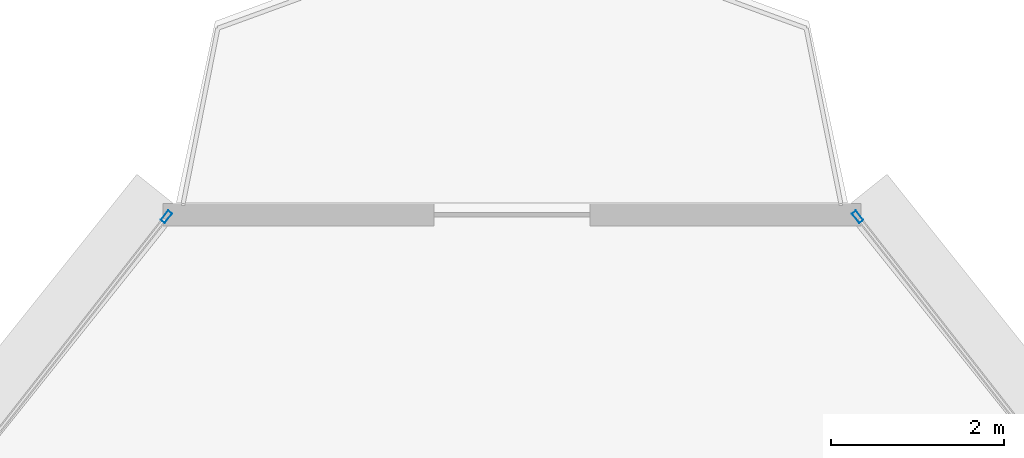
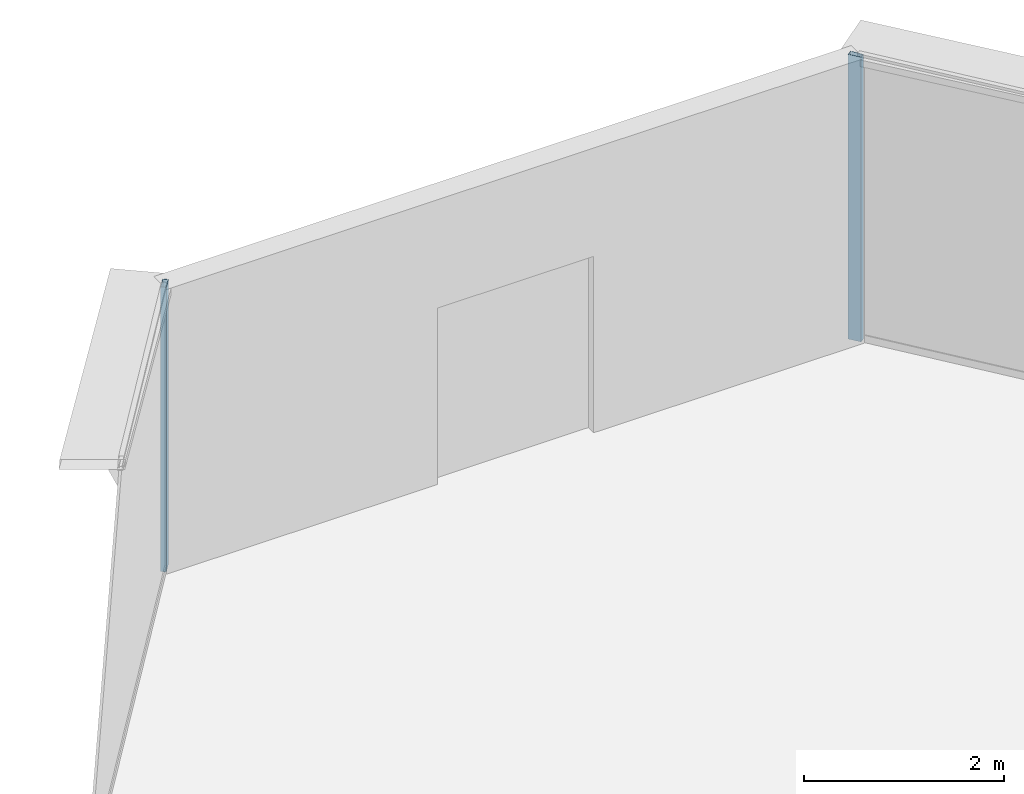
# One storey, part 25 of 35: 2 members, 2 elements without a shape of their own.
"""IFC4 building model written with IfcOpenShell, lengths in metres."""

import ifcopenshell
import ifcopenshell.guid

model = None  # the IFC model being written
_history = None  # IfcOwnerHistory: only IFC2X3 demands one
_inside = {}  # id of a spatial element -> (the spatial element, [elements in it])
_under = {}  # id of a project, library or spatial element -> (it, [spatial elements below it])
_declared = {}  # id of a project -> (the project, [libraries it declares])
_typed = {}  # id of a type object -> (the type object, [elements of that type])
_made_of = {}  # id of a material, layer set ... -> (it, [elements and type objects made of it])


def new_model(schema):
    """Start an empty IFC model of exactly this schema.

    Asked for "IFC4X3", IfcOpenShell would pick the latest addendum, in which some entities
    have other attributes; the version numbers below select the first issue.
    IFC2X3 requires an IfcOwnerHistory on every rooted entity: one is made here for all.
    """
    global model, _history
    if schema == "IFC4X3":
        model = ifcopenshell.file(schema_version=(4, 3, 0, 0))
    else:
        model = ifcopenshell.file(schema=schema)
    _inside.clear()
    _under.clear()
    _declared.clear()
    _typed.clear()
    _made_of.clear()
    _history = None
    if model.schema == "IFC2X3":
        org = make("IfcOrganization", Name="unknown")
        user = make(
            "IfcPersonAndOrganization",
            ThePerson=make("IfcPerson", FamilyName="unknown"),
            TheOrganization=org,
        )
        app = make(
            "IfcApplication",
            ApplicationDeveloper=org,
            Version="unknown",
            ApplicationFullName="unknown",
            ApplicationIdentifier="unknown",
        )
        _history = make(
            "IfcOwnerHistory",
            OwningUser=user,
            OwningApplication=app,
            ChangeAction="ADDED",
            CreationDate=0,
        )
    return model


def make(cls, **values):
    """One entity of the class cls with the attributes given. An attribute that is None is left unset."""
    return model.create_entity(
        cls, **{name: value for name, value in values.items() if value is not None}
    )


def rooted(cls, **values):
    """An entity with a GlobalId (a new one), such as an element, a storey or a relation."""
    return make(cls, GlobalId=ifcopenshell.guid.new(), OwnerHistory=_history, **values)


def si_unit(unit_type, name, prefix=None):
    """IfcSIUnit, for example si_unit("LENGTHUNIT", "METRE", prefix="MILLI")."""
    return make("IfcSIUnit", UnitType=unit_type, Prefix=prefix, Name=name)


def assignment(units):
    """IfcUnitAssignment: the units of a project."""
    return None if units is None else make("IfcUnitAssignment", Units=units)


def point(xyz):
    """IfcCartesianPoint."""
    return None if xyz is None else make("IfcCartesianPoint", Coordinates=xyz)


def direction(xyz):
    """IfcDirection."""
    return None if xyz is None else make("IfcDirection", DirectionRatios=xyz)


def frame(location, z_axis=None, x_axis=None):
    """IfcAxis2Placement3D, a coordinate frame: its origin and axes. An axis left out is left unset."""
    return make(
        "IfcAxis2Placement3D",
        Location=point(location),
        Axis=direction(z_axis),
        RefDirection=direction(x_axis),
    )


def frame_2d(location, x_axis=None):
    """IfcAxis2Placement2D, a coordinate frame in the plane: its origin and x axis."""
    return make(
        "IfcAxis2Placement2D", Location=point(location), RefDirection=direction(x_axis)
    )


def origin():
    """The frame at (0, 0, 0) with its axes left unset."""
    return frame((0.0, 0.0, 0.0))


def origin_2d():
    """The frame at (0, 0) in the plane with its x axis left unset."""
    return frame_2d((0.0, 0.0))


def place(relative_to, where):
    """IfcLocalPlacement: puts the frame where relative to a parent placement (None: the world)."""
    return make(
        "IfcLocalPlacement", PlacementRelTo=relative_to, RelativePlacement=where
    )


def context(
    kind, dimensions, precision=None, world=None, true_north=None, identifier=None
):
    """IfcGeometricRepresentationContext, for example the 3D "Model" context."""
    return make(
        "IfcGeometricRepresentationContext",
        ContextIdentifier=identifier,
        ContextType=kind,
        CoordinateSpaceDimension=dimensions,
        Precision=precision,
        WorldCoordinateSystem=world,
        TrueNorth=true_north,
    )


def subcontext(parent, identifier, kind, view, scale=None):
    """IfcGeometricRepresentationSubContext, for example "Body" below "Model"."""
    return make(
        "IfcGeometricRepresentationSubContext",
        ContextIdentifier=identifier,
        ContextType=kind,
        ParentContext=parent,
        TargetScale=scale,
        TargetView=view,
    )


def project(units=None, contexts=None):
    """IfcProject with its units and contexts."""
    return rooted(
        "IfcProject",
        Name="project",
        RepresentationContexts=contexts,
        UnitsInContext=assignment(units),
    )


def spatial(cls, under=None, at=None, **own):
    """A site, building, storey or space (cls), placed at a placement, below another one or the project."""
    s = rooted(cls, ObjectPlacement=at, **own)
    if under is not None:
        _under.setdefault(under.id(), (under, []))[1].append(s)
    return s


def profile(cls, at=None, kind="AREA", **sizes):
    """A parametric profile (cls). Its sizes go by their IFC names, for example OverallWidth=200.0."""
    return make(cls, ProfileType=kind, Position=at, **sizes)


def hollow_rectangle(**sizes):
    """IfcRectangleHollowProfileDef."""
    return profile("IfcRectangleHollowProfileDef", **sizes)


def extrude(swept, where, along, depth):
    """IfcExtrudedAreaSolid: the profile swept, set in the frame where, extruded along a direction by depth."""
    return make(
        "IfcExtrudedAreaSolid",
        SweptArea=swept,
        Position=where,
        ExtrudedDirection=direction(along),
        Depth=depth,
    )


def shape(context_of_items, identifier, shape_type, items):
    """IfcShapeRepresentation: the items that make up one representation, for example the "Body"."""
    return make(
        "IfcShapeRepresentation",
        ContextOfItems=context_of_items,
        RepresentationIdentifier=identifier,
        RepresentationType=shape_type,
        Items=items,
    )


def source(mapping_origin, context_of_items, identifier, shape_type, items):
    """IfcRepresentationMap: a shape defined once, which mapped items show again and again."""
    return make(
        "IfcRepresentationMap",
        MappingOrigin=mapping_origin,
        MappedRepresentation=shape(context_of_items, identifier, shape_type, items),
    )


def transform(
    local_origin,
    x_axis=None,
    y_axis=None,
    z_axis=None,
    scale=None,
    scale2=None,
    scale3=None,
    uniform=True,
):
    """IfcCartesianTransformationOperator3D, or its non-uniform kind. x_axis, y_axis, z_axis: its Axis1, 2, 3."""
    if uniform:
        return make(
            "IfcCartesianTransformationOperator3D",
            Axis1=direction(x_axis),
            Axis2=direction(y_axis),
            LocalOrigin=point(local_origin),
            Scale=scale,
            Axis3=direction(z_axis),
        )
    return make(
        "IfcCartesianTransformationOperator3DnonUniform",
        Axis1=direction(x_axis),
        Axis2=direction(y_axis),
        LocalOrigin=point(local_origin),
        Scale=scale,
        Axis3=direction(z_axis),
        Scale2=scale2,
        Scale3=scale3,
    )


def mapped(mapping_source, mapping_target):
    """IfcMappedItem: shows the shape of a source again, moved by a transform."""
    return make(
        "IfcMappedItem", MappingSource=mapping_source, MappingTarget=mapping_target
    )


def material(Name=None, Category=None):
    """IfcMaterial."""
    return make("IfcMaterial", Name=Name, Category=Category)


def layer(
    of_material, thickness, ventilated=None, Name=None, Category=None, Priority=None
):
    """IfcMaterialLayer: one layer of a wall or slab, of a material (None: an air gap)."""
    return make(
        "IfcMaterialLayer",
        Material=of_material,
        LayerThickness=thickness,
        IsVentilated=ventilated,
        Name=Name,
        Category=Category,
        Priority=Priority,
    )


def layer_set(layers, Name=None):
    """IfcMaterialLayerSet."""
    return make("IfcMaterialLayerSet", MaterialLayers=layers, LayerSetName=Name)


def material_profile(
    of_material, cross_section, Name=None, Category=None, Priority=None
):
    """IfcMaterialProfile: a cross section and its material."""
    return make(
        "IfcMaterialProfile",
        Name=Name,
        Material=of_material,
        Profile=cross_section,
        Priority=Priority,
        Category=Category,
    )


def profile_set(profiles, Name=None, composite=None):
    """IfcMaterialProfileSet."""
    return make(
        "IfcMaterialProfileSet",
        Name=Name,
        MaterialProfiles=profiles,
        CompositeProfile=composite,
    )


def made_of(thing, what):
    """Note that an element or type object is made of a material, layer set ...; save() writes the relation."""
    if what is not None:
        _made_of.setdefault(what.id(), (what, []))[1].append(thing)
    return thing


def type_object(cls, material=None, **own):
    """A type object (cls), such as IfcWallType, which elements share."""
    return made_of(rooted(cls, **own), material)


def element(
    cls,
    number,
    at=None,
    inside=None,
    cuts=None,
    type_object=None,
    material=None,
    context=None,
    identifier="Body",
    shape_type=None,
    held_by="IfcProductDefinitionShape",
    body=None,
    shapes=None,
    **own,
):
    """One element of the class cls, such as IfcWall. Its Tag is "e" and its number.

    at: its placement. inside: the storey or other place that contains it. cuts: it is an
    opening in that element (IfcRelVoidsElement). A single representation is given by context,
    identifier, shape_type and body (its items); several are given by shapes. held_by: the class
    of the entity that holds the representations. save() writes the other relations.
    """
    e = rooted(cls, Tag="e%d" % number, ObjectPlacement=at, **own)
    if body is not None:
        shapes = [shape(context, identifier, shape_type, body)]
    if shapes is not None:
        e.Representation = make(held_by, Representations=shapes)
    if inside is not None:
        _inside.setdefault(inside.id(), (inside, []))[1].append(e)
    if cuts is not None:
        rooted(
            "IfcRelVoidsElement", RelatingBuildingElement=cuts, RelatedOpeningElement=e
        )
    if type_object is not None:
        _typed.setdefault(type_object.id(), (type_object, []))[1].append(e)
    return made_of(e, material)


def aggregate(whole, parts):
    """IfcRelAggregates: a whole, such as a stair, and the parts it consists of."""
    return rooted("IfcRelAggregates", RelatingObject=whole, RelatedObjects=parts)


def save(model, path):
    """Write the relations noted so far, then the file.

    IfcRelAggregates (storeys below a building ...), IfcRelContainedInSpatialStructure (elements
    in a storey), IfcRelDefinesByType, IfcRelAssociatesMaterial and IfcRelDeclares: one each for
    every whole, place, type object, material and project.
    """
    for whole, parts in _under.values():
        aggregate(whole, parts)
    for where, things in _inside.values():
        rooted(
            "IfcRelContainedInSpatialStructure",
            RelatedElements=things,
            RelatingStructure=where,
        )
    for kind, things in _typed.values():
        rooted("IfcRelDefinesByType", RelatedObjects=things, RelatingType=kind)
    for what, things in _made_of.values():
        rooted("IfcRelAssociatesMaterial", RelatedObjects=things, RelatingMaterial=what)
    for by, libraries in _declared.values():
        rooted("IfcRelDeclares", RelatingContext=by, RelatedDefinitions=libraries)
    model.write(path)


model = new_model("IFC4")

# Units and contexts
model_context = context("Model", 3, precision=1e-05, world=origin(), true_north=direction((0.0, 1.0)))
body_context = subcontext(model_context, "Body", "Model", "MODEL_VIEW")
ifc_project = project(units=[si_unit("LENGTHUNIT", "METRE"), si_unit("AREAUNIT", "SQUARE_METRE"), si_unit("VOLUMEUNIT", "CUBIC_METRE"), si_unit("PLANEANGLEUNIT", "RADIAN"), si_unit("MASSUNIT", "GRAM", prefix="KILO"), si_unit("THERMODYNAMICTEMPERATUREUNIT", "KELVIN"), si_unit("POWERUNIT", "WATT")], contexts=[model_context])

# Site, building, storey
site_placement = place(None, origin())
site = spatial("IfcSite", under=ifc_project, at=site_placement, CompositionType="ELEMENT")
building_placement = place(site_placement, origin())
building = spatial("IfcBuilding", under=site, at=building_placement, Name="Yunzhuo Pagoda Commons", CompositionType="ELEMENT")
storey_placement = place(building_placement, frame((0.0, 0.0, 237.070068359375)))
storey = spatial("IfcBuildingStorey", under=building, at=storey_placement, Name="L59", CompositionType="ELEMENT", Elevation=237.070068359375)

# Curtain wall, member
ifc_material = material(Name="Anodized aluminium 6063-T6", Category="aluminium")
ifc_layer = layer(ifc_material, 0.139892578125)
ifc_layer_set = layer_set([ifc_layer], Name="Anodized aluminium 6063-T6")
curtain_wall_type = type_object("IfcCurtainWallType", Name="CW-HI High-Zone Ribbon Curtain Wall", PredefinedType="NOTDEFINED", material=ifc_layer_set)
curtain_wall_1_placement = place(storey_placement, origin())
curtain_wall_1 = element("IfcCurtainWall", 1, at=curtain_wall_1_placement, inside=storey, type_object=curtain_wall_type, Name="L59 curtain wall CW-L59-F2B5", PredefinedType="NOTDEFINED")
ifc_material_profile = material_profile(ifc_material, hollow_rectangle(XDim=0.06005859375, YDim=0.139892578125, WallThickness=0.00341796875, at=origin_2d()), Name="Anodized aluminium 6063-T6")
ifc_profile_set = profile_set([ifc_material_profile], Name="Anodized aluminium 6063-T6")
member_type = type_object("IfcMemberType", Name="CW-HI-M Mullion RHS 140x60x3.5", PredefinedType="MULLION", material=ifc_profile_set)
shared_shape = source(origin(), body_context, "Body", "SweptSolid", [
    extrude(hollow_rectangle(XDim=0.06005859375, YDim=0.139892578125, WallThickness=0.00341796875, at=origin_2d()), origin(), (0.0, 0.0, 1.0), 3.469970703125),
])
member_1_placement = place(storey_placement, frame((51.984375, 80.7783203125, 0.0), z_axis=(0.0, 0.0, 1.0), x_axis=(-0.787639445288, -0.616136433127, 0.0)))
member_1 = element("IfcMember", 2, at=member_1_placement, type_object=member_type, Name="CW mullion 2", PredefinedType="MULLION", context=body_context, shape_type="MappedRepresentation", body=[
    mapped(shared_shape, transform((0.0, 0.0, 0.0), scale=1.0)),
])
aggregate(curtain_wall_1, [member_1])

curtain_wall_2_placement = place(storey_placement, origin())
curtain_wall_2 = element("IfcCurtainWall", 3, at=curtain_wall_2_placement, inside=storey, type_object=curtain_wall_type, Name="L59 curtain wall CW-L59-F3B1", PredefinedType="NOTDEFINED")
member_2_placement = place(storey_placement, frame((44.015625, 80.7783203125, 0.0), z_axis=(0.0, 0.0, 1.0), x_axis=(0.787639445288, -0.616136433127, 0.0)))
member_2 = element("IfcMember", 4, at=member_2_placement, type_object=member_type, Name="CW mullion 1", PredefinedType="MULLION", context=body_context, shape_type="MappedRepresentation", body=[
    mapped(shared_shape, transform((0.0, 0.0, 0.0), scale=1.0)),
])
aggregate(curtain_wall_2, [member_2])

save(model, "model.ifc")
